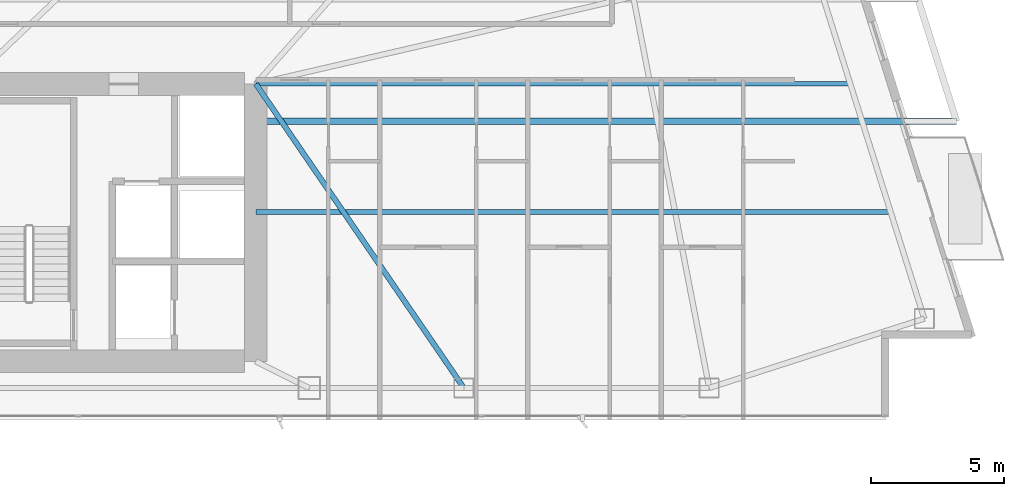
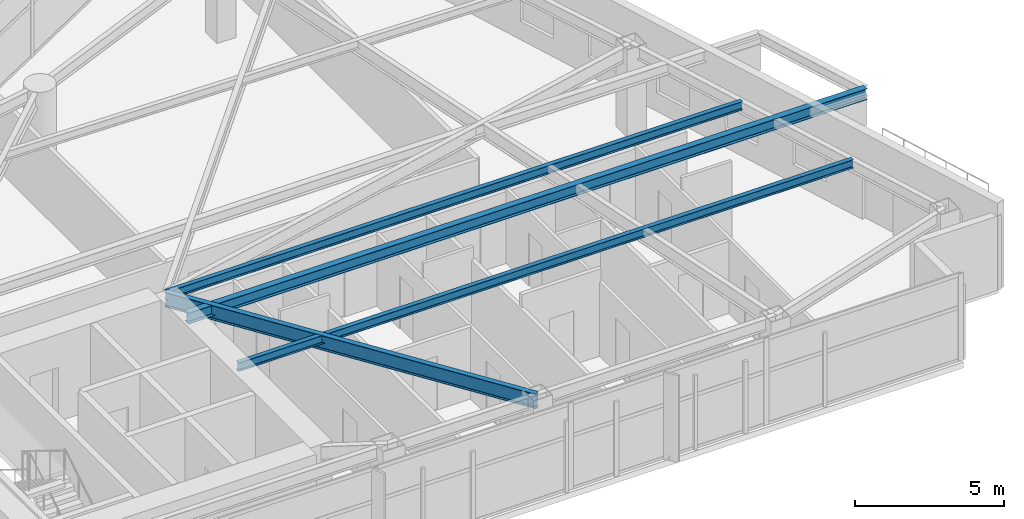
# One storey, part 13 of 29: 4 beams.
"""IFC4 building model written with IfcOpenShell, lengths in metres."""

from ifc_helpers import new_model, si_unit, direction, frame, origin, origin_2d, place, context, subcontext, project, spatial, i_section, extrude, material, material_profile, profile_set, type_object, element, save


model = new_model("IFC4")

# Units and contexts
model_context = context("Model", 3, precision=1e-05, world=origin(), true_north=direction((0.0, 1.0)))
body_context = subcontext(model_context, "Body", "Model", "MODEL_VIEW")
ifc_project = project(units=[si_unit("LENGTHUNIT", "METRE"), si_unit("AREAUNIT", "SQUARE_METRE"), si_unit("VOLUMEUNIT", "CUBIC_METRE"), si_unit("PLANEANGLEUNIT", "RADIAN"), si_unit("MASSUNIT", "GRAM", prefix="KILO")], contexts=[model_context])

# Site, building, storey
site_placement = place(None, origin())
site = spatial("IfcSite", under=ifc_project, at=site_placement, CompositionType="ELEMENT")
building_placement = place(site_placement, origin())
building = spatial("IfcBuilding", under=site, at=building_placement, Name="Calvorn Quay Hotel", CompositionType="ELEMENT")
storey_placement = place(building_placement, frame((0.0, 0.0, 171.300048828125)))
storey = spatial("IfcBuildingStorey", under=building, at=storey_placement, Name="L42", CompositionType="ELEMENT", Elevation=171.300048828125)

# Beams
ifc_material_1 = material(Name="Steel Q355B", Category="steel")
ifc_material_profile_1 = material_profile(ifc_material_1, i_section(OverallWidth=0.25, OverallDepth=0.449951171875, WebThickness=0.011962890625, FlangeThickness=0.01611328125, FilletRadius=0.01611328125, at=origin_2d()), Name="HN450x250x12x16")
ifc_profile_set_1 = profile_set([ifc_material_profile_1], Name="Steel Q355B")
beam_type_1 = type_object("IfcBeamType", Name="BM-CANT-BALC", PredefinedType="BEAM", material=ifc_profile_set_1)
beam_1_placement = place(storey_placement, frame((32.39990234375, 13.60009765625, 3.31494140625), z_axis=(1.0, 0.0, 0.0), x_axis=(0.0, 1.0, 0.0)))
element("IfcBeam", 1, at=beam_1_placement, inside=storey, type_object=beam_type_1, Name="Cantilever Balcony Beam BCB-L43-1A", PredefinedType="BEAM", context=body_context, shape_type="SweptSolid", body=[
    extrude(i_section(OverallWidth=0.25, OverallDepth=0.449951171875, WebThickness=0.011962890625, FlangeThickness=0.01611328125, FilletRadius=0.01611328125, at=origin_2d()), origin(), (0.0, 0.0, 1.0), 26.26904296875),
])
ifc_material_2 = material(Name="Steel Q355B", Category="steel")
ifc_material_profile_2 = material_profile(ifc_material_2, i_section(OverallWidth=0.199951171875, OverallDepth=0.60009765625, WebThickness=0.010986328125, FlangeThickness=0.01708984375, FilletRadius=0.01806640625, at=origin_2d()), Name="HN600x200x11x17")
ifc_profile_set_2 = profile_set([ifc_material_profile_2], Name="Steel Q355B")
beam_type_2 = type_object("IfcBeamType", Name="BM-GIRD-TYP", PredefinedType="BEAM", material=ifc_profile_set_2)
beam_2_placement = place(storey_placement, frame((40.199951171875, 3.60009765625, 3.239990234375), z_axis=(-0.564689618177, 0.825303359452, 0.0), x_axis=(-0.825303359452, -0.564689618177, 0.0)))
element("IfcBeam", 2, at=beam_2_placement, inside=storey, type_object=beam_type_2, Name="Beam BG-L42-E6", PredefinedType="BEAM", context=body_context, shape_type="SweptSolid", body=[
    extrude(i_section(OverallWidth=0.199951171875, OverallDepth=0.60009765625, WebThickness=0.010986328125, FlangeThickness=0.01708984375, FilletRadius=0.01806640625, at=origin_2d()), origin(), (0.0, 0.0, 1.0), 13.81298828125),
])
ifc_material_3 = material(Name="Steel Q355B", Category="steel")
ifc_material_profile_3 = material_profile(ifc_material_3, i_section(OverallWidth=0.175048828125, OverallDepth=0.35009765625, WebThickness=0.007080078125, FlangeThickness=0.010986328125, FilletRadius=0.013916015625, at=origin_2d()), Name="HN350x175x7x11")
ifc_profile_set_3 = profile_set([ifc_material_profile_3], Name="Steel Q355B")
beam_type_3 = type_object("IfcBeamType", Name="BM-JOIST-SEC", PredefinedType="JOIST", material=ifc_profile_set_3)
beam_3_placement = place(storey_placement, frame((32.39990234375, 10.199951171875, 3.364990234375), z_axis=(1.0, 0.0, 0.0), x_axis=(0.0, 1.0, 0.0)))
element("IfcBeam", 3, at=beam_3_placement, inside=storey, type_object=beam_type_3, Name="Beam BJ-L42-E1", PredefinedType="JOIST", context=body_context, shape_type="SweptSolid", body=[
    extrude(i_section(OverallWidth=0.175048828125, OverallDepth=0.35009765625, WebThickness=0.007080078125, FlangeThickness=0.010986328125, FilletRadius=0.013916015625, at=origin_2d()), origin(), (0.0, 0.0, 1.0), 23.801025390625),
])
beam_4_placement = place(storey_placement, frame((32.39990234375, 15.0, 3.364990234375), z_axis=(1.0, 0.0, 0.0), x_axis=(0.0, 1.0, 0.0)))
element("IfcBeam", 4, at=beam_4_placement, inside=storey, type_object=beam_type_3, Name="Beam BJ-L42-E2", PredefinedType="JOIST", context=body_context, shape_type="SweptSolid", body=[
    extrude(i_section(OverallWidth=0.175048828125, OverallDepth=0.35009765625, WebThickness=0.007080078125, FlangeThickness=0.010986328125, FilletRadius=0.013916015625, at=origin_2d()), origin(), (0.0, 0.0, 1.0), 22.2880859375),
])

save(model, "model.ifc")
